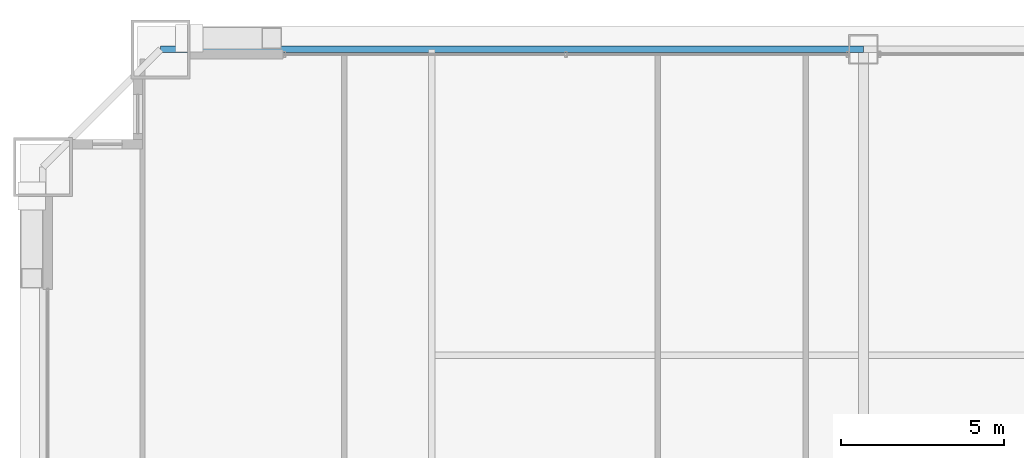
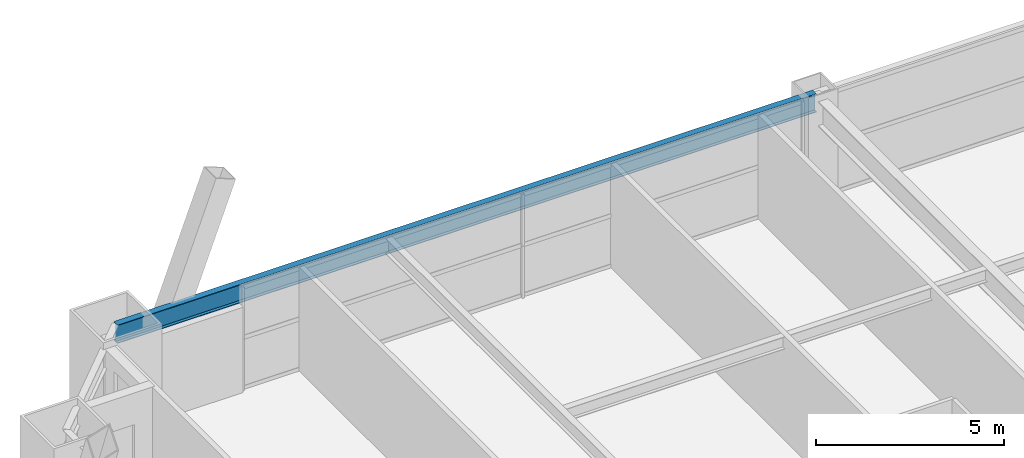
# One storey, part 27 of 43: 1 beam.
"""IFC4 building model written with IfcOpenShell, lengths in metres."""

from ifc_helpers import new_model, si_unit, direction, frame, origin, origin_2d, place, context, subcontext, project, spatial, i_section, extrude, source, transform, mapped, material, material_profile, profile_set, type_object, element, save


model = new_model("IFC4")

# Units and contexts
model_context = context("Model", 3, precision=1e-05, world=origin(), true_north=direction((0.0, 1.0)))
body_context = subcontext(model_context, "Body", "Model", "MODEL_VIEW")
ifc_project = project(units=[si_unit("LENGTHUNIT", "METRE"), si_unit("AREAUNIT", "SQUARE_METRE"), si_unit("VOLUMEUNIT", "CUBIC_METRE"), si_unit("PLANEANGLEUNIT", "RADIAN"), si_unit("MASSUNIT", "GRAM", prefix="KILO"), si_unit("THERMODYNAMICTEMPERATUREUNIT", "KELVIN"), si_unit("POWERUNIT", "WATT")], contexts=[model_context])

# Site, building, storey
site_placement = place(None, origin())
site = spatial("IfcSite", under=ifc_project, at=site_placement, CompositionType="ELEMENT")
building_placement = place(site_placement, origin())
building = spatial("IfcBuilding", under=site, at=building_placement, Name="Yuzanri Waterfront Tower", CompositionType="ELEMENT")
storey_placement = place(building_placement, frame((0.0, 0.0, 74.800048828125)))
storey = spatial("IfcBuildingStorey", under=building, at=storey_placement, Name="L19", CompositionType="ELEMENT", Elevation=74.800048828125)

# Beam
ifc_material = material(Name="Steel Q355B", Category="steel")
ifc_material_profile = material_profile(ifc_material, i_section(OverallWidth=0.199951171875, OverallDepth=0.60009765625, WebThickness=0.010986328125, FlangeThickness=0.01708984375, at=origin_2d()), Name="HN 600x200x11x17")
ifc_profile_set = profile_set([ifc_material_profile], Name="Steel Q355B")
beam_type = type_object("IfcBeamType", Name="Perimeter Spandrel Q355B HN 600x200", PredefinedType="SPANDREL", material=ifc_profile_set)
shared_shape = source(origin(), body_context, "Body", "SweptSolid", [
    extrude(i_section(OverallWidth=0.199951171875, OverallDepth=0.60009765625, WebThickness=0.010986328125, FlangeThickness=0.01708984375, at=origin_2d()), origin(), (0.0, 0.0, 1.0), 21.5),
])
beam_placement = place(storey_placement, frame((37.0, 50.89990234375, 3.079833984375), z_axis=(-1.0, 0.0, 0.0), x_axis=(0.0, -1.0, 0.0)))
element("IfcBeam", 1, at=beam_placement, inside=storey, type_object=beam_type, Name="L19 Perimeter Spandrel N2-N1", PredefinedType="SPANDREL", context=body_context, shape_type="MappedRepresentation", body=[
    mapped(shared_shape, transform((0.0, 0.0, 0.0), scale=1.0)),
])

save(model, "model.ifc")
